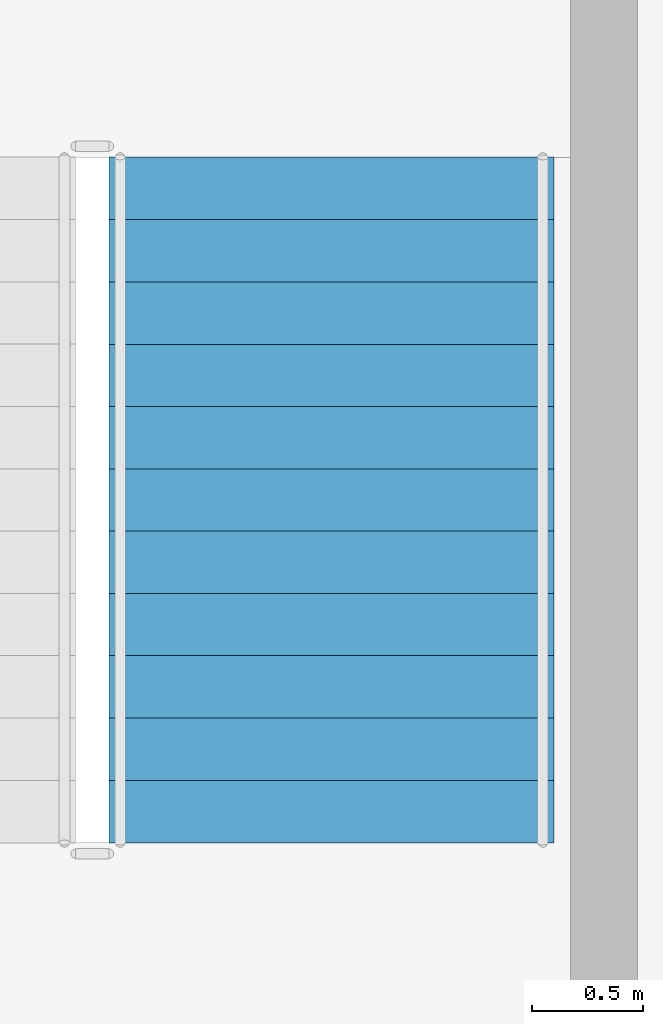
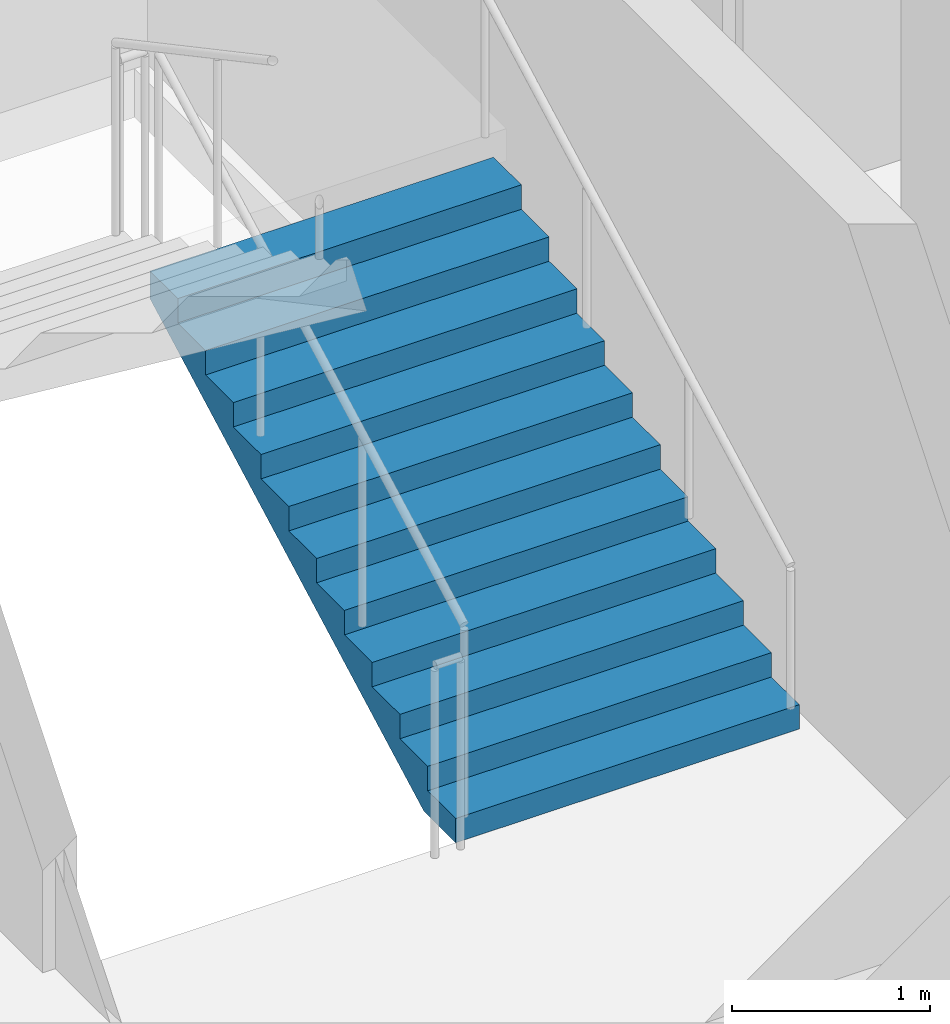
# One storey, part 11 of 14: 1 stair flight, 1 element without a shape of its own.
"""IFC4 building model written with IfcOpenShell, lengths in metres."""

from ifc_helpers import new_model, si_unit, direction, frame, origin, place, context, subcontext, project, spatial, polygons, material, type_object, element, aggregate, save


model = new_model("IFC4")

# Units and contexts
model_context = context("Model", 3, precision=1e-05, world=origin(), true_north=direction((0.0, 1.0)))
body_context = subcontext(model_context, "Body", "Model", "MODEL_VIEW")
ifc_project = project(units=[si_unit("LENGTHUNIT", "METRE"), si_unit("AREAUNIT", "SQUARE_METRE"), si_unit("VOLUMEUNIT", "CUBIC_METRE"), si_unit("PLANEANGLEUNIT", "RADIAN"), si_unit("MASSUNIT", "GRAM", prefix="KILO")], contexts=[model_context])

# Site, building, storey
site_placement = place(None, origin())
site = spatial("IfcSite", under=ifc_project, at=site_placement, CompositionType="ELEMENT")
building_placement = place(site_placement, origin())
building = spatial("IfcBuilding", under=site, at=building_placement, Name="Caravel Reach Hotel and Residences", CompositionType="ELEMENT")
storey_placement = place(building_placement, frame((0.0, 0.0, 67.199951171875)))
storey = spatial("IfcBuildingStorey", under=building, at=storey_placement, Name="L15", CompositionType="ELEMENT", Elevation=67.199951171875)

# Stair, stair flight
ifc_material_1 = material(Name="Concrete C40", Category="concrete")
stair_type = type_object("IfcStairType", Name="Core stair", PredefinedType="HALF_TURN_STAIR", material=ifc_material_1)
stair_placement = place(storey_placement, origin())
stair = element("IfcStair", 1, at=stair_placement, inside=storey, type_object=stair_type, Name="L15 Exit stair B", PredefinedType="HALF_TURN_STAIR")
ifc_material_2 = material(Name="Concrete C40", Category="concrete")
stair_flight_type = type_object("IfcStairFlightType", Name="Core stair flight", PredefinedType="STRAIGHT", material=ifc_material_2)
stair_flight_placement = place(storey_placement, frame((43.77490234375, 24.64990234375, 0.0), z_axis=(0.0, 0.0, 1.0), x_axis=(0.0, 1.0, 0.0)))
stair_flight = element("IfcStairFlight", 2, at=stair_flight_placement, type_object=stair_flight_type, Name="ST-B flight 1", NumberOfRisers=12, NumberOfTreads=11, PredefinedType="STRAIGHT", RiserHeight=0.15, TreadLength=0.28, context=body_context, shape_type="Tessellation", body=[
    polygons([(0.3174408016601862, 1.0, 0.0), (0.3174408016601862, 0.6666666666666667, 0.0), (0.3174408016601862, 0.33333333333333337, 0.0), (0.3174408016601862, 0.0, 0.0), (0.3174408016601862, -0.33333333333333326, 0.0), (0.3174408016601862, -0.6666666666666667, 0.0), (0.3174408016601862, -1.0, 0.0), (3.081, 1.0, 1.479942427682043), (3.081, 0.6666666666666667, 1.479942427682043), (3.081, 0.33333333333333337, 1.479942427682043), (3.081, 0.0, 1.479942427682043), (3.081, -0.33333333333333326, 1.479942427682043), (3.081, -0.6666666666666667, 1.479942427682043), (3.081, -1.0, 1.479942427682043), (3.081, 1.0, 1.65), (3.081, 0.6666666666666667, 1.65), (3.081, 0.33333333333333337, 1.65), (3.081, 0.0, 1.65), (3.081, -0.33333333333333326, 1.65), (3.081, -0.6666666666666667, 1.65), (3.081, -1.0, 1.65), (2.8000000000000003, 1.0, 1.65), (2.8000000000000003, 0.6666666666666667, 1.65), (2.8000000000000003, 0.33333333333333337, 1.65), (2.8000000000000003, 0.0, 1.65), (2.8000000000000003, -0.33333333333333326, 1.65), (2.8000000000000003, -0.6666666666666667, 1.65), (2.8000000000000003, -1.0, 1.65), (2.8000000000000003, 1.0, 1.5), (2.8000000000000003, 0.6666666666666667, 1.5), (2.8000000000000003, 0.33333333333333337, 1.5), (2.8000000000000003, 0.0, 1.5), (2.8000000000000003, -0.33333333333333326, 1.5), (2.8000000000000003, -0.6666666666666667, 1.5), (2.8000000000000003, -1.0, 1.5), (2.5200000000000005, 1.0, 1.5), (2.5200000000000005, 0.6666666666666667, 1.5), (2.5200000000000005, 0.33333333333333337, 1.5), (2.5200000000000005, 0.0, 1.5), (2.5200000000000005, -0.33333333333333326, 1.5), (2.5200000000000005, -0.6666666666666667, 1.5), (2.5200000000000005, -1.0, 1.5), (2.5200000000000005, 1.0, 1.3499999999999999), (2.5200000000000005, 0.6666666666666667, 1.3499999999999999), (2.5200000000000005, 0.33333333333333337, 1.3499999999999999), (2.5200000000000005, 0.0, 1.3499999999999999), (2.5200000000000005, -0.33333333333333326, 1.3499999999999999), (2.5200000000000005, -0.6666666666666667, 1.3499999999999999), (2.5200000000000005, -1.0, 1.3499999999999999), (2.24, 1.0, 1.3499999999999999), (2.24, 0.6666666666666667, 1.3499999999999999), (2.24, 0.33333333333333337, 1.3499999999999999), (2.24, 0.0, 1.3499999999999999), (2.24, -0.33333333333333326, 1.3499999999999999), (2.24, -0.6666666666666667, 1.3499999999999999), (2.24, -1.0, 1.3499999999999999), (2.24, 1.0, 1.2), (2.24, 0.6666666666666667, 1.2), (2.24, 0.33333333333333337, 1.2), (2.24, 0.0, 1.2), (2.24, -0.33333333333333326, 1.2), (2.24, -0.6666666666666667, 1.2), (2.24, -1.0, 1.2), (1.9600000000000002, 1.0, 1.2), (1.9600000000000002, 0.6666666666666667, 1.2), (1.9600000000000002, 0.33333333333333337, 1.2), (1.9600000000000002, 0.0, 1.2), (1.9600000000000002, -0.33333333333333326, 1.2), (1.9600000000000002, -0.6666666666666667, 1.2), (1.9600000000000002, -1.0, 1.2), (1.9600000000000002, 1.0, 1.05), (1.9600000000000002, 0.6666666666666667, 1.05), (1.9600000000000002, 0.33333333333333337, 1.05), (1.9600000000000002, 0.0, 1.05), (1.9600000000000002, -0.33333333333333326, 1.05), (1.9600000000000002, -0.6666666666666667, 1.05), (1.9600000000000002, -1.0, 1.05), (1.6800000000000002, 1.0, 1.05), (1.6800000000000002, 0.6666666666666667, 1.05), (1.6800000000000002, 0.33333333333333337, 1.05), (1.6800000000000002, 0.0, 1.05), (1.6800000000000002, -0.33333333333333326, 1.05), (1.6800000000000002, -0.6666666666666667, 1.05), (1.6800000000000002, -1.0, 1.05), (1.6800000000000002, 1.0, 0.8999999999999999), (1.6800000000000002, 0.6666666666666667, 0.8999999999999999), (1.6800000000000002, 0.33333333333333337, 0.8999999999999999), (1.6800000000000002, 0.0, 0.8999999999999999), (1.6800000000000002, -0.33333333333333326, 0.8999999999999999), (1.6800000000000002, -0.6666666666666667, 0.8999999999999999), (1.6800000000000002, -1.0, 0.8999999999999999), (1.4000000000000001, 1.0, 0.8999999999999999), (1.4000000000000001, 0.6666666666666667, 0.8999999999999999), (1.4000000000000001, 0.33333333333333337, 0.8999999999999999), (1.4000000000000001, 0.0, 0.8999999999999999), (1.4000000000000001, -0.33333333333333326, 0.8999999999999999), (1.4000000000000001, -0.6666666666666667, 0.8999999999999999), (1.4000000000000001, -1.0, 0.8999999999999999), (1.4000000000000001, 1.0, 0.75), (1.4000000000000001, 0.6666666666666667, 0.75), (1.4000000000000001, 0.33333333333333337, 0.75), (1.4000000000000001, 0.0, 0.75), (1.4000000000000001, -0.33333333333333326, 0.75), (1.4000000000000001, -0.6666666666666667, 0.75), (1.4000000000000001, -1.0, 0.75), (1.12, 1.0, 0.75), (1.12, 0.6666666666666667, 0.75), (1.12, 0.33333333333333337, 0.75), (1.12, 0.0, 0.75), (1.12, -0.33333333333333326, 0.75), (1.12, -0.6666666666666667, 0.75), (1.12, -1.0, 0.75), (1.12, 1.0, 0.6), (1.12, 0.6666666666666667, 0.6), (1.12, 0.33333333333333337, 0.6), (1.12, 0.0, 0.6), (1.12, -0.33333333333333326, 0.6), (1.12, -0.6666666666666667, 0.6), (1.12, -1.0, 0.6), (0.8400000000000001, 1.0, 0.6), (0.8400000000000001, 0.6666666666666667, 0.6), (0.8400000000000001, 0.33333333333333337, 0.6), (0.8400000000000001, 0.0, 0.6), (0.8400000000000001, -0.33333333333333326, 0.6), (0.8400000000000001, -0.6666666666666667, 0.6), (0.8400000000000001, -1.0, 0.6), (0.8400000000000001, 1.0, 0.44999999999999996), (0.8400000000000001, 0.6666666666666667, 0.44999999999999996), (0.8400000000000001, 0.33333333333333337, 0.44999999999999996), (0.8400000000000001, 0.0, 0.44999999999999996), (0.8400000000000001, -0.33333333333333326, 0.44999999999999996), (0.8400000000000001, -0.6666666666666667, 0.44999999999999996), (0.8400000000000001, -1.0, 0.44999999999999996), (0.56, 1.0, 0.44999999999999996), (0.56, 0.6666666666666667, 0.44999999999999996), (0.56, 0.33333333333333337, 0.44999999999999996), (0.56, 0.0, 0.44999999999999996), (0.56, -0.33333333333333326, 0.44999999999999996), (0.56, -0.6666666666666667, 0.44999999999999996), (0.56, -1.0, 0.44999999999999996), (0.56, 1.0, 0.3), (0.56, 0.6666666666666667, 0.3), (0.56, 0.33333333333333337, 0.3), (0.56, 0.0, 0.3), (0.56, -0.33333333333333326, 0.3), (0.56, -0.6666666666666667, 0.3), (0.56, -1.0, 0.3), (0.28, 1.0, 0.3), (0.28, 0.6666666666666667, 0.3), (0.28, 0.33333333333333337, 0.3), (0.28, 0.0, 0.3), (0.28, -0.33333333333333326, 0.3), (0.28, -0.6666666666666667, 0.3), (0.28, -1.0, 0.3), (0.28, 1.0, 0.15), (0.28, 0.6666666666666667, 0.15), (0.28, 0.33333333333333337, 0.15), (0.28, 0.0, 0.15), (0.28, -0.33333333333333326, 0.15), (0.28, -0.6666666666666667, 0.15), (0.28, -1.0, 0.15), (-0.001, 1.0, 0.15), (-0.001, 0.6666666666666667, 0.15), (-0.001, 0.33333333333333337, 0.15), (-0.001, 0.0, 0.15), (-0.001, -0.33333333333333326, 0.15), (-0.001, -0.6666666666666667, 0.15), (-0.001, -1.0, 0.15), (-0.001, 1.0, 0.0), (-0.001, 0.6666666666666667, 0.0), (-0.001, 0.33333333333333337, 0.0), (-0.001, 0.0, 0.0), (-0.001, -0.33333333333333326, 0.0), (-0.001, -0.6666666666666667, 0.0), (-0.001, -1.0, 0.0)], [[[169, 162, 155, 148, 141, 134, 127, 120, 113, 106, 99, 92, 85, 78, 71, 64, 57, 50, 43, 36, 29, 22, 15, 8, 1]], [[7, 14, 21, 28, 35, 42, 49, 56, 63, 70, 77, 84, 91, 98, 105, 112, 119, 126, 133, 140, 147, 154, 161, 168, 175]], [[1, 8, 9, 2]], [[2, 9, 10, 3]], [[3, 10, 11, 4]], [[4, 11, 12, 5]], [[5, 12, 13, 6]], [[6, 13, 14, 7]], [[8, 15, 16, 9]], [[9, 16, 17, 10]], [[10, 17, 18, 11]], [[11, 18, 19, 12]], [[12, 19, 20, 13]], [[13, 20, 21, 14]], [[15, 22, 23, 16]], [[16, 23, 24, 17]], [[17, 24, 25, 18]], [[18, 25, 26, 19]], [[19, 26, 27, 20]], [[20, 27, 28, 21]], [[22, 29, 30, 23]], [[23, 30, 31, 24]], [[24, 31, 32, 25]], [[25, 32, 33, 26]], [[26, 33, 34, 27]], [[27, 34, 35, 28]], [[29, 36, 37, 30]], [[30, 37, 38, 31]], [[31, 38, 39, 32]], [[32, 39, 40, 33]], [[33, 40, 41, 34]], [[34, 41, 42, 35]], [[36, 43, 44, 37]], [[37, 44, 45, 38]], [[38, 45, 46, 39]], [[39, 46, 47, 40]], [[40, 47, 48, 41]], [[41, 48, 49, 42]], [[43, 50, 51, 44]], [[44, 51, 52, 45]], [[45, 52, 53, 46]], [[46, 53, 54, 47]], [[47, 54, 55, 48]], [[48, 55, 56, 49]], [[50, 57, 58, 51]], [[51, 58, 59, 52]], [[52, 59, 60, 53]], [[53, 60, 61, 54]], [[54, 61, 62, 55]], [[55, 62, 63, 56]], [[57, 64, 65, 58]], [[58, 65, 66, 59]], [[59, 66, 67, 60]], [[60, 67, 68, 61]], [[61, 68, 69, 62]], [[62, 69, 70, 63]], [[64, 71, 72, 65]], [[65, 72, 73, 66]], [[66, 73, 74, 67]], [[67, 74, 75, 68]], [[68, 75, 76, 69]], [[69, 76, 77, 70]], [[71, 78, 79, 72]], [[72, 79, 80, 73]], [[73, 80, 81, 74]], [[74, 81, 82, 75]], [[75, 82, 83, 76]], [[76, 83, 84, 77]], [[78, 85, 86, 79]], [[79, 86, 87, 80]], [[80, 87, 88, 81]], [[81, 88, 89, 82]], [[82, 89, 90, 83]], [[83, 90, 91, 84]], [[85, 92, 93, 86]], [[86, 93, 94, 87]], [[87, 94, 95, 88]], [[88, 95, 96, 89]], [[89, 96, 97, 90]], [[90, 97, 98, 91]], [[92, 99, 100, 93]], [[93, 100, 101, 94]], [[94, 101, 102, 95]], [[95, 102, 103, 96]], [[96, 103, 104, 97]], [[97, 104, 105, 98]], [[99, 106, 107, 100]], [[100, 107, 108, 101]], [[101, 108, 109, 102]], [[102, 109, 110, 103]], [[103, 110, 111, 104]], [[104, 111, 112, 105]], [[106, 113, 114, 107]], [[107, 114, 115, 108]], [[108, 115, 116, 109]], [[109, 116, 117, 110]], [[110, 117, 118, 111]], [[111, 118, 119, 112]], [[113, 120, 121, 114]], [[114, 121, 122, 115]], [[115, 122, 123, 116]], [[116, 123, 124, 117]], [[117, 124, 125, 118]], [[118, 125, 126, 119]], [[120, 127, 128, 121]], [[121, 128, 129, 122]], [[122, 129, 130, 123]], [[123, 130, 131, 124]], [[124, 131, 132, 125]], [[125, 132, 133, 126]], [[127, 134, 135, 128]], [[128, 135, 136, 129]], [[129, 136, 137, 130]], [[130, 137, 138, 131]], [[131, 138, 139, 132]], [[132, 139, 140, 133]], [[134, 141, 142, 135]], [[135, 142, 143, 136]], [[136, 143, 144, 137]], [[137, 144, 145, 138]], [[138, 145, 146, 139]], [[139, 146, 147, 140]], [[141, 148, 149, 142]], [[142, 149, 150, 143]], [[143, 150, 151, 144]], [[144, 151, 152, 145]], [[145, 152, 153, 146]], [[146, 153, 154, 147]], [[148, 155, 156, 149]], [[149, 156, 157, 150]], [[150, 157, 158, 151]], [[151, 158, 159, 152]], [[152, 159, 160, 153]], [[153, 160, 161, 154]], [[155, 162, 163, 156]], [[156, 163, 164, 157]], [[157, 164, 165, 158]], [[158, 165, 166, 159]], [[159, 166, 167, 160]], [[160, 167, 168, 161]], [[162, 169, 170, 163]], [[163, 170, 171, 164]], [[164, 171, 172, 165]], [[165, 172, 173, 166]], [[166, 173, 174, 167]], [[167, 174, 175, 168]], [[169, 1, 2, 170]], [[170, 2, 3, 171]], [[171, 3, 4, 172]], [[172, 4, 5, 173]], [[173, 5, 6, 174]], [[174, 6, 7, 175]]], closed=True),
])
aggregate(stair, [stair_flight])

save(model, "model.ifc")
